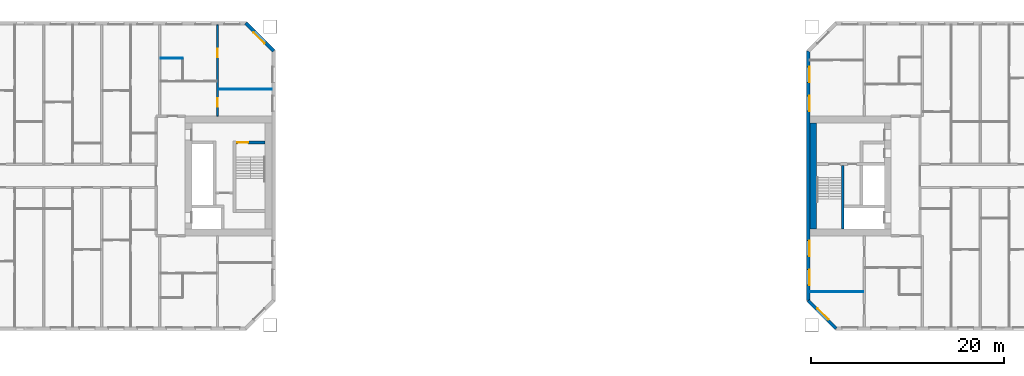
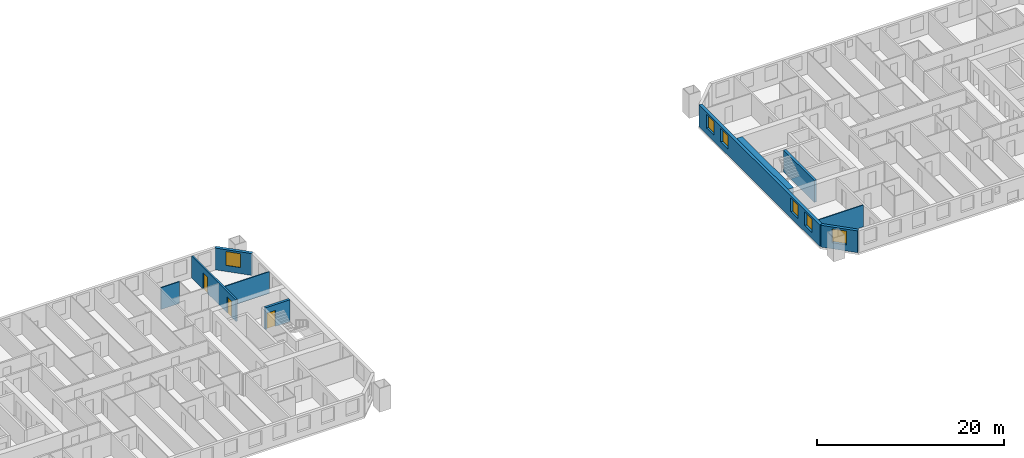
# One storey, part 8 of 16: 10 walls, 6 windows, 3 doors, 9 openings.
"""IFC4 building model written with IfcOpenShell, lengths in metres."""

from ifc_helpers import new_model, si_unit, direction, frame, frame_2d, origin, place, context, subcontext, project, spatial, rectangle, extrude, material, layer, layer_set, type_object, element, fill, save


model = new_model("IFC4")

# Units and contexts
model_context = context("Model", 3, precision=1e-05, world=origin(), true_north=direction((0.0, 1.0)))
body_context = subcontext(model_context, "Body", "Model", "MODEL_VIEW")
ifc_project = project(units=[si_unit("LENGTHUNIT", "METRE"), si_unit("AREAUNIT", "SQUARE_METRE"), si_unit("VOLUMEUNIT", "CUBIC_METRE"), si_unit("PLANEANGLEUNIT", "RADIAN"), si_unit("MASSUNIT", "GRAM", prefix="KILO")], contexts=[model_context])

# Site, building, storey
site_placement = place(None, origin())
site = spatial("IfcSite", under=ifc_project, at=site_placement, CompositionType="ELEMENT")
building_placement = place(site_placement, origin())
building = spatial("IfcBuilding", under=site, at=building_placement, Name="Tuart Gate Housing", CompositionType="ELEMENT")
storey_placement = place(building_placement, frame((0.0, 0.0, 87.10009765625)))
storey = spatial("IfcBuildingStorey", under=building, at=storey_placement, Name="L24", CompositionType="ELEMENT", Elevation=87.10009765625)

# Wall, opening, window
ifc_material_1 = material(Name="Brick", Category="masonry")
ifc_layer_1 = layer(ifc_material_1, 0.360107421875)
ifc_layer_set_1 = layer_set([ifc_layer_1], Name="Brick pier and spandrel wall 360")
wall_type_1 = type_object("IfcWallType", Name="Brick pier and spandrel wall 360", PredefinedType="STANDARD", material=ifc_layer_set_1)
wall_1_placement = place(storey_placement, frame((75.820068359375, 82.92529296875, 0.0), z_axis=(0.0, 0.0, 1.0), x_axis=(-0.707106781187, 0.707106781187, 0.0)))
wall_1 = element("IfcWall", 1, at=wall_1_placement, inside=storey, type_object=wall_type_1, Name="External wall A-NE L24", PredefinedType="STANDARD", context=body_context, shape_type="SweptSolid", body=[
    extrude(rectangle(XDim=4.09375, YDim=0.360107421875, at=frame_2d((2.046875, 0.0))), origin(), (0.0, 0.0, 1.0), 2.849853515625),
])
opening_1_placement = place(wall_1_placement, frame((1.2470703125, 0.0, 0.800048828125)))
opening_1 = element("IfcOpeningElement", 2, at=opening_1_placement, cuts=wall_1, Name="Opening W1", PredefinedType="OPENING", context=body_context, shape_type="SweptSolid", body=[
    extrude(rectangle(XDim=1.60009765625, YDim=1.800048828125, at=frame_2d((0.800048828125, 0.89990234375))), frame((0.0, 0.18994140625, 0.0), z_axis=(0.0, -1.0, 0.0), x_axis=(1.0, 0.0, 0.0)), (0.0, 0.0, 1.0), 0.380126953125),
])
ifc_material_2 = material(Name="Aluminium frame with clear glass", Category="aluminium")
window_type = type_object("IfcWindowType", Name="Punched window 1600 x 1800", PartitioningType="SINGLE_PANEL", PredefinedType="WINDOW", material=ifc_material_2)
window_1_placement = place(opening_1_placement, origin())
window_1 = element("IfcWindow", 3, at=window_1_placement, inside=storey, type_object=window_type, Name="Window W1", OverallHeight=1.800048828125, OverallWidth=1.60009765625, PartitioningType="SINGLE_PANEL", PredefinedType="WINDOW", context=body_context, shape_type="SweptSolid", body=[
    extrude(rectangle(XDim=1.60009765625, YDim=1.800048828125, at=frame_2d((0.800048828125, 0.89990234375))), frame((0.0, 0.150146484375, 0.0), z_axis=(0.0, -1.0, 0.0), x_axis=(1.0, 0.0, 0.0)), (0.0, 0.0, 1.0), 0.06005859375),
])
fill(opening_1, window_1)

wall_2_placement = place(storey_placement, frame((131.179931640625, 57.07470703125, 0.0), z_axis=(0.0, 0.0, 1.0), x_axis=(0.707106781187, -0.707106781187, 0.0)))
wall_2 = element("IfcWall", 4, at=wall_2_placement, inside=storey, type_object=wall_type_1, Name="External wall B-SW L24", PredefinedType="STANDARD", context=body_context, shape_type="SweptSolid", body=[
    extrude(rectangle(XDim=4.09375, YDim=0.360107421875, at=frame_2d((2.046875, 0.0))), origin(), (0.0, 0.0, 1.0), 2.849853515625),
])
opening_2_placement = place(wall_2_placement, frame((1.2470703125, 0.0, 0.800048828125)))
opening_2 = element("IfcOpeningElement", 5, at=opening_2_placement, cuts=wall_2, Name="Opening W1", PredefinedType="OPENING", context=body_context, shape_type="SweptSolid", body=[
    extrude(rectangle(XDim=1.60009765625, YDim=1.800048828125, at=frame_2d((0.800048828125, 0.89990234375))), frame((0.0, 0.18994140625, 0.0), z_axis=(0.0, -1.0, 0.0), x_axis=(1.0, 0.0, 0.0)), (0.0, 0.0, 1.0), 0.380126953125),
])
window_2_placement = place(opening_2_placement, origin())
window_2 = element("IfcWindow", 6, at=window_2_placement, inside=storey, type_object=window_type, Name="Window W1", OverallHeight=1.800048828125, OverallWidth=1.60009765625, PartitioningType="SINGLE_PANEL", PredefinedType="WINDOW", context=body_context, shape_type="SweptSolid", body=[
    extrude(rectangle(XDim=1.60009765625, YDim=1.800048828125, at=frame_2d((0.800048828125, 0.89990234375))), frame((0.0, 0.150146484375, 0.0), z_axis=(0.0, -1.0, 0.0), x_axis=(1.0, 0.0, 0.0)), (0.0, 0.0, 1.0), 0.06005859375),
])
fill(opening_2, window_2)

# Wall, openings, windows
wall_3_placement = place(storey_placement, frame((131.179931640625, 82.92529296875, 0.0), z_axis=(0.0, 0.0, 1.0), x_axis=(0.0, -1.0, 0.0)))
wall_3 = element("IfcWall", 7, at=wall_3_placement, inside=storey, type_object=wall_type_1, Name="External wall B-W L24", PredefinedType="STANDARD", context=body_context, shape_type="SweptSolid", body=[
    extrude(rectangle(XDim=25.850830078125, YDim=0.360107421875, at=frame_2d((12.92529296875, 0.0))), origin(), (0.0, 0.0, 1.0), 2.849853515625),
])
opening_3_placement = place(wall_3_placement, frame((1.62548828125, 0.0, 0.800048828125)))
opening_3 = element("IfcOpeningElement", 8, at=opening_3_placement, cuts=wall_3, Name="Opening W1", PredefinedType="OPENING", context=body_context, shape_type="SweptSolid", body=[
    extrude(rectangle(XDim=1.60009765625, YDim=1.800048828125, at=frame_2d((0.800048828125, 0.89990234375))), frame((0.0, 0.18994140625, 0.0), z_axis=(0.0, -1.0, 0.0), x_axis=(1.0, 0.0, 0.0)), (0.0, 0.0, 1.0), 0.380126953125),
])
opening_4_placement = place(wall_3_placement, frame((4.62548828125, 0.0, 0.800048828125)))
opening_4 = element("IfcOpeningElement", 9, at=opening_4_placement, cuts=wall_3, Name="Opening W1", PredefinedType="OPENING", context=body_context, shape_type="SweptSolid", body=[
    extrude(rectangle(XDim=1.60009765625, YDim=1.800048828125, at=frame_2d((0.800048828125, 0.89990234375))), frame((0.0, 0.18994140625, 0.0), z_axis=(0.0, -1.0, 0.0), x_axis=(1.0, 0.0, 0.0)), (0.0, 0.0, 1.0), 0.380126953125),
])
opening_5_placement = place(wall_3_placement, frame((19.62548828125, 0.0, 0.800048828125)))
opening_5 = element("IfcOpeningElement", 10, at=opening_5_placement, cuts=wall_3, Name="Opening W1", PredefinedType="OPENING", context=body_context, shape_type="SweptSolid", body=[
    extrude(rectangle(XDim=1.60009765625, YDim=1.800048828125, at=frame_2d((0.800048828125, 0.89990234375))), frame((0.0, 0.18994140625, 0.0), z_axis=(0.0, -1.0, 0.0), x_axis=(1.0, 0.0, 0.0)), (0.0, 0.0, 1.0), 0.380126953125),
])
opening_6_placement = place(wall_3_placement, frame((22.62548828125, 0.0, 0.800048828125)))
opening_6 = element("IfcOpeningElement", 11, at=opening_6_placement, cuts=wall_3, Name="Opening W1", PredefinedType="OPENING", context=body_context, shape_type="SweptSolid", body=[
    extrude(rectangle(XDim=1.60009765625, YDim=1.800048828125, at=frame_2d((0.800048828125, 0.89990234375))), frame((0.0, 0.18994140625, 0.0), z_axis=(0.0, -1.0, 0.0), x_axis=(1.0, 0.0, 0.0)), (0.0, 0.0, 1.0), 0.380126953125),
])
window_3_placement = place(opening_3_placement, origin())
window_3 = element("IfcWindow", 12, at=window_3_placement, inside=storey, type_object=window_type, Name="Window W1", OverallHeight=1.800048828125, OverallWidth=1.60009765625, PartitioningType="SINGLE_PANEL", PredefinedType="WINDOW", context=body_context, shape_type="SweptSolid", body=[
    extrude(rectangle(XDim=1.60009765625, YDim=1.800048828125, at=frame_2d((0.800048828125, 0.89990234375))), frame((0.0, 0.150146484375, 0.0), z_axis=(0.0, -1.0, 0.0), x_axis=(1.0, 0.0, 0.0)), (0.0, 0.0, 1.0), 0.06005859375),
])
fill(opening_3, window_3)
window_4_placement = place(opening_4_placement, origin())
window_4 = element("IfcWindow", 13, at=window_4_placement, inside=storey, type_object=window_type, Name="Window W1", OverallHeight=1.800048828125, OverallWidth=1.60009765625, PartitioningType="SINGLE_PANEL", PredefinedType="WINDOW", context=body_context, shape_type="SweptSolid", body=[
    extrude(rectangle(XDim=1.60009765625, YDim=1.800048828125, at=frame_2d((0.800048828125, 0.89990234375))), frame((0.0, 0.150146484375, 0.0), z_axis=(0.0, -1.0, 0.0), x_axis=(1.0, 0.0, 0.0)), (0.0, 0.0, 1.0), 0.06005859375),
])
fill(opening_4, window_4)
window_5_placement = place(opening_5_placement, origin())
window_5 = element("IfcWindow", 14, at=window_5_placement, inside=storey, type_object=window_type, Name="Window W1", OverallHeight=1.800048828125, OverallWidth=1.60009765625, PartitioningType="SINGLE_PANEL", PredefinedType="WINDOW", context=body_context, shape_type="SweptSolid", body=[
    extrude(rectangle(XDim=1.60009765625, YDim=1.800048828125, at=frame_2d((0.800048828125, 0.89990234375))), frame((0.0, 0.150146484375, 0.0), z_axis=(0.0, -1.0, 0.0), x_axis=(1.0, 0.0, 0.0)), (0.0, 0.0, 1.0), 0.06005859375),
])
fill(opening_5, window_5)
window_6_placement = place(opening_6_placement, origin())
window_6 = element("IfcWindow", 15, at=window_6_placement, inside=storey, type_object=window_type, Name="Window W1", OverallHeight=1.800048828125, OverallWidth=1.60009765625, PartitioningType="SINGLE_PANEL", PredefinedType="WINDOW", context=body_context, shape_type="SweptSolid", body=[
    extrude(rectangle(XDim=1.60009765625, YDim=1.800048828125, at=frame_2d((0.800048828125, 0.89990234375))), frame((0.0, 0.150146484375, 0.0), z_axis=(0.0, -1.0, 0.0), x_axis=(1.0, 0.0, 0.0)), (0.0, 0.0, 1.0), 0.06005859375),
])
fill(opening_6, window_6)

# Wall, opening, door
ifc_material_3 = material(Name="Concrete C50", Category="concrete")
ifc_layer_2 = layer(ifc_material_3, 0.300048828125)
ifc_layer_set_2 = layer_set([ifc_layer_2], Name="Core wall 300 C50")
wall_type_2 = type_object("IfcWallType", Name="Core wall 300 C50", PredefinedType="SHEAR", material=ifc_layer_set_2)
wall_4_placement = place(storey_placement, frame((71.889892578125, 73.449951171875, 0.0), z_axis=(0.0, 0.0, 1.0), x_axis=(1.0, 0.0, 0.0)))
wall_4 = element("IfcWall", 16, at=wall_4_placement, inside=storey, type_object=wall_type_2, Name="Core wall AG.5", PredefinedType="SHEAR", context=body_context, shape_type="SweptSolid", body=[
    extrude(rectangle(XDim=3.050048828125, YDim=0.300048828125, at=frame_2d((1.52490234375, 0.0))), origin(), (0.0, 0.0, 1.0), 2.849853515625),
])
opening_7_placement = place(wall_4_placement, frame((0.169921875, 0.0, 0.0)))
opening_7 = element("IfcOpeningElement", 17, at=opening_7_placement, cuts=wall_4, Name="Opening D974", PredefinedType="OPENING", context=body_context, shape_type="SweptSolid", body=[
    extrude(rectangle(XDim=1.10009765625, YDim=2.10009765625, at=frame_2d((0.550048828125, 1.050048828125))), frame((0.0, 0.159912109375, 0.0), z_axis=(0.0, -1.0, 0.0), x_axis=(1.0, 0.0, 0.0)), (0.0, 0.0, 1.0), 0.320068359375),
])
ifc_material_4 = material(Name="Steel fire door", Category="steel")
door_type_1 = type_object("IfcDoorType", Name="Stair door 1100 x 2100 RH", OperationType="SINGLE_SWING_RIGHT", PredefinedType="DOOR", material=ifc_material_4)
door_1_placement = place(opening_7_placement, frame((1.10009765625, 0.0, 0.0), z_axis=(0.0, 0.0, 1.0), x_axis=(-1.0, 0.0, 0.0)))
door_1 = element("IfcDoor", 18, at=door_1_placement, inside=storey, type_object=door_type_1, Name="Stair door AG.SD", OperationType="SINGLE_SWING_RIGHT", OverallHeight=2.10009765625, OverallWidth=1.10009765625, PredefinedType="DOOR", context=body_context, shape_type="SweptSolid", body=[
    extrude(rectangle(XDim=1.10009765625, YDim=2.10009765625, at=frame_2d((0.550048828125, 1.050048828125))), frame((0.0, 0.025146484375, 0.0), z_axis=(0.0, -1.0, 0.0), x_axis=(1.0, 0.0, 0.0)), (0.0, 0.0, 1.0), 0.050048828125),
])
fill(opening_7, door_1)

# Walls
wall_5_placement = place(storey_placement, frame((134.760009765625, 64.5, 0.0), z_axis=(0.0, 0.0, 1.0), x_axis=(0.0, 1.0, 0.0)))
element("IfcWall", 19, at=wall_5_placement, inside=storey, type_object=wall_type_2, Name="Core wall BG.6", PredefinedType="SHEAR", context=body_context, shape_type="SweptSolid", body=[
    extrude(rectangle(XDim=6.60009765625, YDim=0.300048828125, at=frame_2d((3.300048828125, 0.0))), origin(), (0.0, 0.0, 1.0), 2.849853515625),
])
ifc_material_5 = material(Name="Concrete C50", Category="concrete")
ifc_layer_3 = layer(ifc_material_5, 0.699951171875)
ifc_layer_set_3 = layer_set([ifc_layer_3], Name="Core wall 700 C50")
wall_type_3 = type_object("IfcWallType", Name="Core wall 700 C50", PredefinedType="SHEAR", material=ifc_layer_set_3)
wall_6_placement = place(storey_placement, frame((131.7099609375, 64.5, 0.0), z_axis=(0.0, 0.0, 1.0), x_axis=(0.0, 1.0, 0.0)))
element("IfcWall", 20, at=wall_6_placement, inside=storey, type_object=wall_type_3, Name="Core wall BG back", PredefinedType="SHEAR", context=body_context, shape_type="SweptSolid", body=[
    extrude(rectangle(XDim=11.0, YDim=0.699951171875, at=frame_2d((5.5, 0.0))), origin(), (0.0, 0.0, 1.0), 2.849853515625),
])
ifc_material_6 = material(Name="Gypsum board on steel studs", Category="steel")
ifc_layer_4 = layer(ifc_material_6, 0.10009765625)
ifc_layer_set_4 = layer_set([ifc_layer_4], Name="Partition 100")
wall_type_4 = type_object("IfcWallType", Name="Partition 100", PredefinedType="PARTITIONING", material=ifc_layer_set_4)
for number, where, z_axis, x_axis, name in (
    (21, (131.360107421875, 58.0, 0.0), (0.0, 0.0, 1.0), (1.0, 0.0, 0.0), "Partition 100"),
    (22, (70.10009765625, 79.0, 0.0), (0.0, 0.0, 1.0), (1.0, 0.0, 0.0), "Partition 100"),
):
    element("IfcWall", number, at=place(storey_placement, frame(where, z_axis=z_axis, x_axis=x_axis)), inside=storey, type_object=wall_type_4, Name=name, PredefinedType="PARTITIONING", context=body_context, shape_type="SweptSolid", body=[
        extrude(rectangle(XDim=5.539794921875, YDim=0.10009765625, at=frame_2d((2.77001953125, 0.0))), origin(), (0.0, 0.0, 1.0), 2.849853515625),
    ])
wall_7_placement = place(storey_placement, frame((64.10009765625, 82.199951171875, 0.0), z_axis=(0.0, 0.0, 1.0), x_axis=(1.0, 0.0, 0.0)))
element("IfcWall", 23, at=wall_7_placement, inside=storey, type_object=wall_type_4, Name="Partition 100", PredefinedType="PARTITIONING", context=body_context, shape_type="SweptSolid", body=[
    extrude(rectangle(XDim=2.2998046875, YDim=0.10009765625, at=frame_2d((1.14990234375, 0.0))), origin(), (0.0, 0.0, 1.0), 2.849853515625),
])

# Wall, openings, doors
ifc_material_7 = material(Name="Concrete C40", Category="concrete")
ifc_layer_5 = layer(ifc_material_7, 0.199951171875)
ifc_layer_set_5 = layer_set([ifc_layer_5], Name="Party wall concrete C40 200")
wall_type_5 = type_object("IfcWallType", Name="Party wall concrete C40 200", PredefinedType="SOLIDWALL", material=ifc_layer_set_5)
wall_8_placement = place(storey_placement, frame((70.0, 76.199951171875, 0.0), z_axis=(0.0, 0.0, 1.0), x_axis=(0.0, 1.0, 0.0)))
wall_8 = element("IfcWall", 24, at=wall_8_placement, inside=storey, type_object=wall_type_5, Name="Party wall concrete C40 200", PredefinedType="SOLIDWALL", context=body_context, shape_type="SweptSolid", body=[
    extrude(rectangle(XDim=9.43994140625, YDim=0.199951171875, at=frame_2d((4.719970703125, 0.0))), origin(), (0.0, 0.0, 1.0), 2.849853515625),
])
opening_8_placement = place(wall_8_placement, frame((6.070068359375, 0.0, 0.0)))
opening_8 = element("IfcOpeningElement", 25, at=opening_8_placement, cuts=wall_8, Name="Opening D955", PredefinedType="OPENING", context=body_context, shape_type="SweptSolid", body=[
    extrude(rectangle(XDim=0.89990234375, YDim=2.10009765625, at=frame_2d((0.449951171875, 1.050048828125))), frame((0.0, 0.10986328125, 0.0), z_axis=(0.0, -1.0, 0.0), x_axis=(1.0, 0.0, 0.0)), (0.0, 0.0, 1.0), 0.219970703125),
])
opening_9_placement = place(wall_8_placement, frame((0.949951171875, 0.0, 0.0)))
opening_9 = element("IfcOpeningElement", 26, at=opening_9_placement, cuts=wall_8, Name="Opening D956", PredefinedType="OPENING", context=body_context, shape_type="SweptSolid", body=[
    extrude(rectangle(XDim=0.89990234375, YDim=2.10009765625, at=frame_2d((0.449951171875, 1.050048828125))), frame((0.0, 0.10986328125, 0.0), z_axis=(0.0, -1.0, 0.0), x_axis=(1.0, 0.0, 0.0)), (0.0, 0.0, 1.0), 0.219970703125),
])
ifc_material_8 = material(Name="Timber door leaf in steel frame", Category="steel")
door_type_2 = type_object("IfcDoorType", Name="Internal door 900", OperationType="SINGLE_SWING_LEFT", PredefinedType="DOOR", material=ifc_material_8)
door_2_placement = place(opening_8_placement, frame((0.89990234375, 0.0, 0.0), z_axis=(0.0, 0.0, 1.0), x_axis=(-1.0, 0.0, 0.0)))
door_2 = element("IfcDoor", 27, at=door_2_placement, inside=storey, type_object=door_type_2, Name="Internal door", OperationType="SINGLE_SWING_LEFT", OverallHeight=2.10009765625, OverallWidth=0.89990234375, PredefinedType="DOOR", context=body_context, shape_type="SweptSolid", body=[
    extrude(rectangle(XDim=0.89990234375, YDim=2.10009765625, at=frame_2d((0.449951171875, 1.050048828125))), frame((0.0, 0.025146484375, 0.0), z_axis=(0.0, -1.0, 0.0), x_axis=(1.0, 0.0, 0.0)), (0.0, 0.0, 1.0), 0.050048828125),
])
fill(opening_8, door_2)
ifc_material_9 = material(Name="Timber door leaf in steel frame", Category="steel")
door_type_3 = type_object("IfcDoorType", Name="Internal door 900 RH", OperationType="SINGLE_SWING_RIGHT", PredefinedType="DOOR", material=ifc_material_9)
door_3_placement = place(opening_9_placement, frame((0.89990234375, 0.0, 0.0), z_axis=(0.0, 0.0, 1.0), x_axis=(-1.0, 0.0, 0.0)))
door_3 = element("IfcDoor", 28, at=door_3_placement, inside=storey, type_object=door_type_3, Name="Internal door", OperationType="SINGLE_SWING_RIGHT", OverallHeight=2.10009765625, OverallWidth=0.89990234375, PredefinedType="DOOR", context=body_context, shape_type="SweptSolid", body=[
    extrude(rectangle(XDim=0.89990234375, YDim=2.10009765625, at=frame_2d((0.449951171875, 1.050048828125))), frame((0.0, 0.025146484375, 0.0), z_axis=(0.0, -1.0, 0.0), x_axis=(1.0, 0.0, 0.0)), (0.0, 0.0, 1.0), 0.050048828125),
])
fill(opening_9, door_3)

save(model, "model.ifc")
